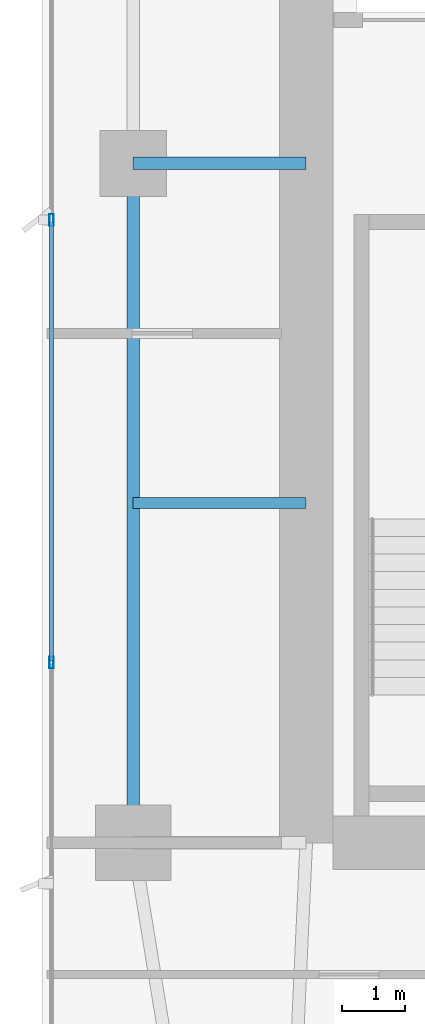
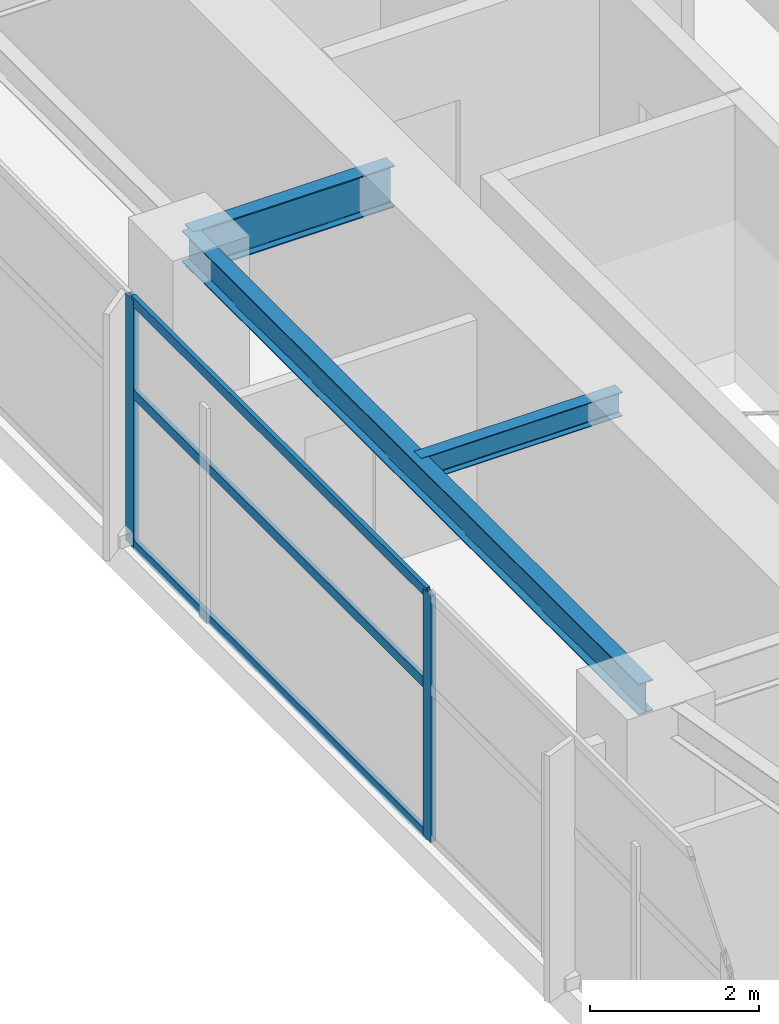
# One storey, part 9 of 30: 5 members, 3 beams, 1 element without a shape of its own.
"""IFC4 building model written with IfcOpenShell, lengths in metres."""

from ifc_helpers import new_model, si_unit, direction, frame, origin, origin_2d, place, context, subcontext, project, spatial, hollow_rectangle, i_section, extrude, material, layer, layer_set, material_profile, profile_set, type_object, element, aggregate, save


model = new_model("IFC4")

# Units and contexts
model_context = context("Model", 3, precision=1e-05, world=origin(), true_north=direction((0.0, 1.0)))
body_context = subcontext(model_context, "Body", "Model", "MODEL_VIEW")
ifc_project = project(units=[si_unit("LENGTHUNIT", "METRE"), si_unit("AREAUNIT", "SQUARE_METRE"), si_unit("VOLUMEUNIT", "CUBIC_METRE"), si_unit("PLANEANGLEUNIT", "RADIAN"), si_unit("MASSUNIT", "GRAM", prefix="KILO")], contexts=[model_context])

# Site, building, storey
site_placement = place(None, origin())
site = spatial("IfcSite", under=ifc_project, at=site_placement, CompositionType="ELEMENT")
building_placement = place(site_placement, origin())
building = spatial("IfcBuilding", under=site, at=building_placement, Name="Calvorn Quay Hotel", CompositionType="ELEMENT")
storey_placement = place(building_placement, frame((0.0, 0.0, 191.300048828125)))
storey = spatial("IfcBuildingStorey", under=building, at=storey_placement, Name="L47", CompositionType="ELEMENT", Elevation=191.300048828125)

# Beams
ifc_material_1 = material(Name="Steel Q355B", Category="steel")
ifc_material_profile_1 = material_profile(ifc_material_1, i_section(OverallWidth=0.199951171875, OverallDepth=0.60009765625, WebThickness=0.010986328125, FlangeThickness=0.01708984375, FilletRadius=0.01806640625, at=origin_2d()), Name="HN600x200x11x17")
ifc_profile_set_1 = profile_set([ifc_material_profile_1], Name="Steel Q355B")
beam_type_1 = type_object("IfcBeamType", Name="BM-GIRD-TYP", PredefinedType="BEAM", material=ifc_profile_set_1)
beam_1_placement = place(storey_placement, frame((1.449951171875, 27.60009765625, 3.239990234375), z_axis=(1.0, 0.0, 0.0), x_axis=(0.0, 1.0, 0.0)))
element("IfcBeam", 1, at=beam_1_placement, inside=storey, type_object=beam_type_1, Name="Beam BG-L47-W2", PredefinedType="BEAM", context=body_context, shape_type="SweptSolid", body=[
    extrude(i_section(OverallWidth=0.199951171875, OverallDepth=0.60009765625, WebThickness=0.010986328125, FlangeThickness=0.01708984375, FilletRadius=0.01806640625, at=origin_2d()), origin(), (0.0, 0.0, 1.0), 2.75),
])
ifc_material_2 = material(Name="Steel Q355B", Category="steel")
ifc_material_profile_2 = material_profile(ifc_material_2, i_section(OverallWidth=0.175048828125, OverallDepth=0.35009765625, WebThickness=0.007080078125, FlangeThickness=0.010986328125, FilletRadius=0.013916015625, at=origin_2d()), Name="HN350x175x7x11")
ifc_profile_set_2 = profile_set([ifc_material_profile_2], Name="Steel Q355B")
beam_type_2 = type_object("IfcBeamType", Name="BM-JOIST-SEC", PredefinedType="JOIST", material=ifc_profile_set_2)
beam_2_placement = place(storey_placement, frame((1.449951171875, 22.199951171875, 3.364990234375), z_axis=(1.0, 0.0, 0.0), x_axis=(0.0, 1.0, 0.0)))
element("IfcBeam", 2, at=beam_2_placement, inside=storey, type_object=beam_type_2, Name="Beam BJ-L47-W3", PredefinedType="JOIST", context=body_context, shape_type="SweptSolid", body=[
    extrude(i_section(OverallWidth=0.175048828125, OverallDepth=0.35009765625, WebThickness=0.007080078125, FlangeThickness=0.010986328125, FilletRadius=0.013916015625, at=origin_2d()), origin(), (0.0, 0.0, 1.0), 2.75),
])
ifc_material_3 = material(Name="Steel Q355B", Category="steel")
ifc_material_profile_3 = material_profile(ifc_material_3, i_section(OverallWidth=0.199951171875, OverallDepth=0.449951171875, WebThickness=0.009033203125, FlangeThickness=0.013916015625, FilletRadius=0.01611328125, at=origin_2d()), Name="HN450x200x9x14")
ifc_profile_set_3 = profile_set([ifc_material_profile_3], Name="Steel Q355B")
beam_type_3 = type_object("IfcBeamType", Name="BM-SPANDREL-Z3", PredefinedType="SPANDREL", material=ifc_profile_set_3)
beam_3_placement = place(storey_placement, frame((1.449951171875, 16.800048828125, 3.31494140625), z_axis=(0.0, 1.0, 0.0), x_axis=(-1.0, 0.0, 0.0)))
element("IfcBeam", 3, at=beam_3_placement, inside=storey, type_object=beam_type_3, Name="Beam BSP-L47-W2", PredefinedType="SPANDREL", context=body_context, shape_type="SweptSolid", body=[
    extrude(i_section(OverallWidth=0.199951171875, OverallDepth=0.449951171875, WebThickness=0.009033203125, FlangeThickness=0.013916015625, FilletRadius=0.01611328125, at=origin_2d()), origin(), (0.0, 0.0, 1.0), 10.800048828125),
])

# Curtain wall, members
ifc_material_4 = material(Name="Champagne Bronze Anodised Aluminium and Low-E Glass", Category="aluminium")
ifc_layer = layer(ifc_material_4, 0.219970703125)
ifc_layer_set = layer_set([ifc_layer], Name="CW-SYS-Z3")
curtain_wall_type = type_object("IfcCurtainWallType", Name="CW-SYS-Z3", PredefinedType="NOTDEFINED", material=ifc_layer_set)
curtain_wall_placement = place(storey_placement, origin())
curtain_wall = element("IfcCurtainWall", 4, at=curtain_wall_placement, inside=storey, type_object=curtain_wall_type, Name="Tower West Curtain Wall (L47)", PredefinedType="NOTDEFINED")
ifc_material_5 = material(Name="Champagne Bronze Anodised Aluminium 6063-T6", Category="aluminium")
ifc_material_profile_4 = material_profile(ifc_material_5, hollow_rectangle(XDim=0.068115234375, YDim=0.18505859375, WallThickness=0.00390625, at=origin_2d()), Name="ALU-M185x68x4")
ifc_profile_set_4 = profile_set([ifc_material_profile_4], Name="Champagne Bronze Anodised Aluminium 6063-T6")
member_type_1 = type_object("IfcMemberType", Name="CW-SYS-Z3-MUL", PredefinedType="MULLION", material=ifc_profile_set_4)
member_1_placement = place(storey_placement, frame((0.14990234375, 19.666748046875, 0.0), z_axis=(0.0, 0.0, 1.0), x_axis=(-1.0, 0.0, 0.0)))
member_1 = element("IfcMember", 5, at=member_1_placement, type_object=member_type_1, Name="CW-L47-W mullion 3", PredefinedType="MULLION", context=body_context, shape_type="SweptSolid", body=[
    extrude(hollow_rectangle(XDim=0.068115234375, YDim=0.18505859375, WallThickness=0.00390625, at=origin_2d()), origin(), (0.0, 0.0, 1.0), 3.56005859375),
])
member_2_placement = place(storey_placement, frame((0.14990234375, 26.699951171875, 0.0), z_axis=(0.0, 0.0, 1.0), x_axis=(-1.0, 0.0, 0.0)))
member_2 = element("IfcMember", 6, at=member_2_placement, type_object=member_type_1, Name="CW-L47-W mullion 4", PredefinedType="MULLION", context=body_context, shape_type="SweptSolid", body=[
    extrude(hollow_rectangle(XDim=0.068115234375, YDim=0.18505859375, WallThickness=0.00390625, at=origin_2d()), origin(), (0.0, 0.0, 1.0), 3.56005859375),
])
ifc_material_6 = material(Name="Champagne Bronze Anodised Aluminium 6063-T6", Category="aluminium")
ifc_material_profile_5 = material_profile(ifc_material_6, hollow_rectangle(XDim=0.05810546875, YDim=0.139892578125, WallThickness=0.003173828125, at=origin_2d()), Name="ALU-T140x58x3.2")
ifc_profile_set_5 = profile_set([ifc_material_profile_5], Name="Champagne Bronze Anodised Aluminium 6063-T6")
member_type_2 = type_object("IfcMemberType", Name="CW-SYS-Z3-TRN", PredefinedType="USERDEFINED", material=ifc_profile_set_5)
member_3_placement = place(storey_placement, frame((0.14990234375, 19.69677734375, 0.030029296875), z_axis=(0.0, 1.0, 0.0), x_axis=(-1.0, 0.0, 0.0)))
member_3 = element("IfcMember", 7, at=member_3_placement, type_object=member_type_2, Name="CW-L47-W transom 3.1", ObjectType="TRANSOM", PredefinedType="USERDEFINED", context=body_context, shape_type="SweptSolid", body=[
    extrude(hollow_rectangle(XDim=0.05810546875, YDim=0.139892578125, WallThickness=0.003173828125, at=origin_2d()), origin(), (0.0, 0.0, 1.0), 6.97314453125),
])
member_4_placement = place(storey_placement, frame((0.14990234375, 19.69677734375, 2.199951171875), z_axis=(0.0, 1.0, 0.0), x_axis=(-1.0, 0.0, 0.0)))
member_4 = element("IfcMember", 8, at=member_4_placement, type_object=member_type_2, Name="CW-L47-W transom 3.2", ObjectType="TRANSOM", PredefinedType="USERDEFINED", context=body_context, shape_type="SweptSolid", body=[
    extrude(hollow_rectangle(XDim=0.05810546875, YDim=0.139892578125, WallThickness=0.003173828125, at=origin_2d()), origin(), (0.0, 0.0, 1.0), 6.97314453125),
])
member_5_placement = place(storey_placement, frame((0.14990234375, 19.69677734375, 3.530029296875), z_axis=(0.0, 1.0, 0.0), x_axis=(-1.0, 0.0, 0.0)))
member_5 = element("IfcMember", 9, at=member_5_placement, type_object=member_type_2, Name="CW-L47-W transom 3.3", ObjectType="TRANSOM", PredefinedType="USERDEFINED", context=body_context, shape_type="SweptSolid", body=[
    extrude(hollow_rectangle(XDim=0.05810546875, YDim=0.139892578125, WallThickness=0.003173828125, at=origin_2d()), origin(), (0.0, 0.0, 1.0), 6.97314453125),
])
aggregate(curtain_wall, [member_1, member_2, member_3, member_4, member_5])

save(model, "model.ifc")
